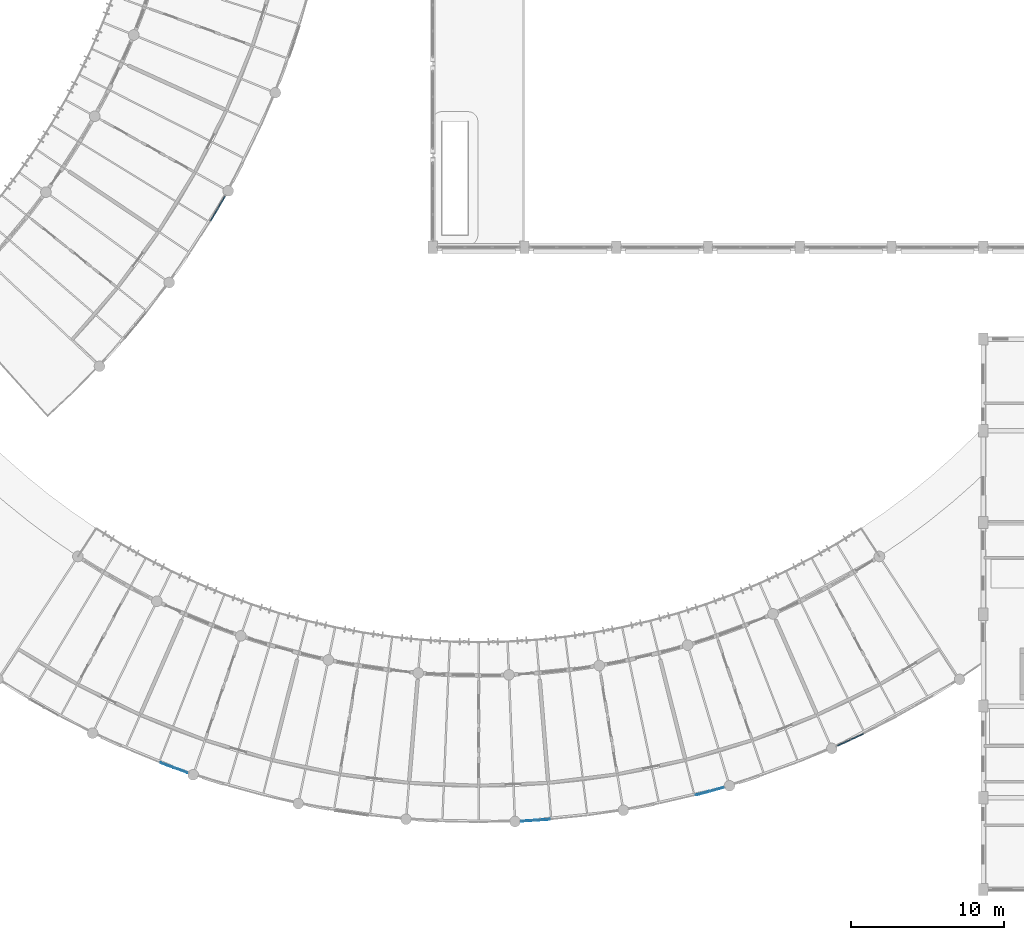
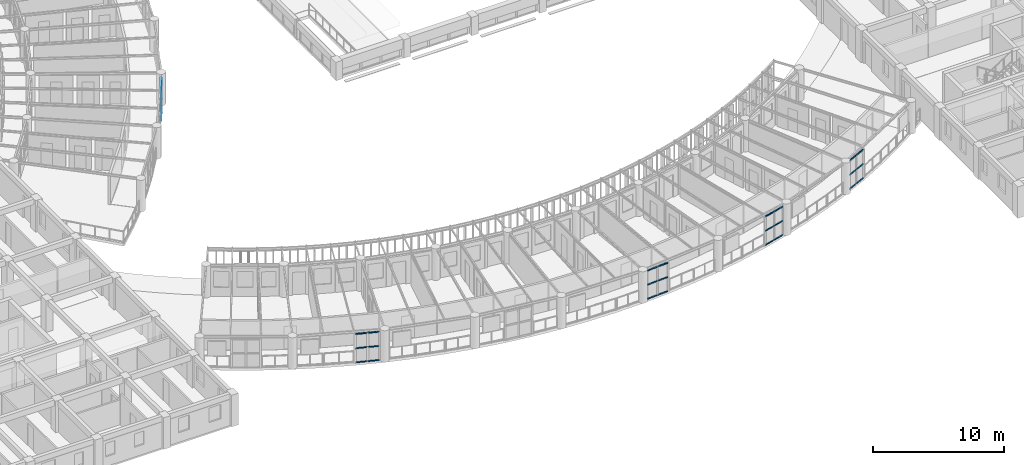
# One storey, part 68 of 137: 30 members, 5 elements without a shape of their own.
"""IFC4 building model written with IfcOpenShell, lengths in metres."""

import ifcopenshell
import ifcopenshell.guid

model = None  # the IFC model being written
_history = None  # IfcOwnerHistory: only IFC2X3 demands one
_inside = {}  # id of a spatial element -> (the spatial element, [elements in it])
_under = {}  # id of a project, library or spatial element -> (it, [spatial elements below it])
_declared = {}  # id of a project -> (the project, [libraries it declares])
_typed = {}  # id of a type object -> (the type object, [elements of that type])
_made_of = {}  # id of a material, layer set ... -> (it, [elements and type objects made of it])


def new_model(schema):
    """Start an empty IFC model of exactly this schema.

    Asked for "IFC4X3", IfcOpenShell would pick the latest addendum, in which some entities
    have other attributes; the version numbers below select the first issue.
    IFC2X3 requires an IfcOwnerHistory on every rooted entity: one is made here for all.
    """
    global model, _history
    if schema == "IFC4X3":
        model = ifcopenshell.file(schema_version=(4, 3, 0, 0))
    else:
        model = ifcopenshell.file(schema=schema)
    _inside.clear()
    _under.clear()
    _declared.clear()
    _typed.clear()
    _made_of.clear()
    _history = None
    if model.schema == "IFC2X3":
        org = make("IfcOrganization", Name="unknown")
        user = make(
            "IfcPersonAndOrganization",
            ThePerson=make("IfcPerson", FamilyName="unknown"),
            TheOrganization=org,
        )
        app = make(
            "IfcApplication",
            ApplicationDeveloper=org,
            Version="unknown",
            ApplicationFullName="unknown",
            ApplicationIdentifier="unknown",
        )
        _history = make(
            "IfcOwnerHistory",
            OwningUser=user,
            OwningApplication=app,
            ChangeAction="ADDED",
            CreationDate=0,
        )
    return model


def make(cls, **values):
    """One entity of the class cls with the attributes given. An attribute that is None is left unset."""
    return model.create_entity(
        cls, **{name: value for name, value in values.items() if value is not None}
    )


def rooted(cls, **values):
    """An entity with a GlobalId (a new one), such as an element, a storey or a relation."""
    return make(cls, GlobalId=ifcopenshell.guid.new(), OwnerHistory=_history, **values)


def si_unit(unit_type, name, prefix=None):
    """IfcSIUnit, for example si_unit("LENGTHUNIT", "METRE", prefix="MILLI")."""
    return make("IfcSIUnit", UnitType=unit_type, Prefix=prefix, Name=name)


def assignment(units):
    """IfcUnitAssignment: the units of a project."""
    return None if units is None else make("IfcUnitAssignment", Units=units)


def point(xyz):
    """IfcCartesianPoint."""
    return None if xyz is None else make("IfcCartesianPoint", Coordinates=xyz)


def direction(xyz):
    """IfcDirection."""
    return None if xyz is None else make("IfcDirection", DirectionRatios=xyz)


def frame(location, z_axis=None, x_axis=None):
    """IfcAxis2Placement3D, a coordinate frame: its origin and axes. An axis left out is left unset."""
    return make(
        "IfcAxis2Placement3D",
        Location=point(location),
        Axis=direction(z_axis),
        RefDirection=direction(x_axis),
    )


def frame_2d(location, x_axis=None):
    """IfcAxis2Placement2D, a coordinate frame in the plane: its origin and x axis."""
    return make(
        "IfcAxis2Placement2D", Location=point(location), RefDirection=direction(x_axis)
    )


def origin():
    """The frame at (0, 0, 0) with its axes left unset."""
    return frame((0.0, 0.0, 0.0))


def origin_2d():
    """The frame at (0, 0) in the plane with its x axis left unset."""
    return frame_2d((0.0, 0.0))


def place(relative_to, where):
    """IfcLocalPlacement: puts the frame where relative to a parent placement (None: the world)."""
    return make(
        "IfcLocalPlacement", PlacementRelTo=relative_to, RelativePlacement=where
    )


def context(
    kind, dimensions, precision=None, world=None, true_north=None, identifier=None
):
    """IfcGeometricRepresentationContext, for example the 3D "Model" context."""
    return make(
        "IfcGeometricRepresentationContext",
        ContextIdentifier=identifier,
        ContextType=kind,
        CoordinateSpaceDimension=dimensions,
        Precision=precision,
        WorldCoordinateSystem=world,
        TrueNorth=true_north,
    )


def subcontext(parent, identifier, kind, view, scale=None):
    """IfcGeometricRepresentationSubContext, for example "Body" below "Model"."""
    return make(
        "IfcGeometricRepresentationSubContext",
        ContextIdentifier=identifier,
        ContextType=kind,
        ParentContext=parent,
        TargetScale=scale,
        TargetView=view,
    )


def project(units=None, contexts=None):
    """IfcProject with its units and contexts."""
    return rooted(
        "IfcProject",
        Name="project",
        RepresentationContexts=contexts,
        UnitsInContext=assignment(units),
    )


def spatial(cls, under=None, at=None, **own):
    """A site, building, storey or space (cls), placed at a placement, below another one or the project."""
    s = rooted(cls, ObjectPlacement=at, **own)
    if under is not None:
        _under.setdefault(under.id(), (under, []))[1].append(s)
    return s


def profile(cls, at=None, kind="AREA", **sizes):
    """A parametric profile (cls). Its sizes go by their IFC names, for example OverallWidth=200.0."""
    return make(cls, ProfileType=kind, Position=at, **sizes)


def rectangle(**sizes):
    """IfcRectangleProfileDef."""
    return profile("IfcRectangleProfileDef", **sizes)


def extrude(swept, where, along, depth):
    """IfcExtrudedAreaSolid: the profile swept, set in the frame where, extruded along a direction by depth."""
    return make(
        "IfcExtrudedAreaSolid",
        SweptArea=swept,
        Position=where,
        ExtrudedDirection=direction(along),
        Depth=depth,
    )


def shape(context_of_items, identifier, shape_type, items):
    """IfcShapeRepresentation: the items that make up one representation, for example the "Body"."""
    return make(
        "IfcShapeRepresentation",
        ContextOfItems=context_of_items,
        RepresentationIdentifier=identifier,
        RepresentationType=shape_type,
        Items=items,
    )


def material(Name=None, Category=None):
    """IfcMaterial."""
    return make("IfcMaterial", Name=Name, Category=Category)


def layer(
    of_material, thickness, ventilated=None, Name=None, Category=None, Priority=None
):
    """IfcMaterialLayer: one layer of a wall or slab, of a material (None: an air gap)."""
    return make(
        "IfcMaterialLayer",
        Material=of_material,
        LayerThickness=thickness,
        IsVentilated=ventilated,
        Name=Name,
        Category=Category,
        Priority=Priority,
    )


def layer_set(layers, Name=None):
    """IfcMaterialLayerSet."""
    return make("IfcMaterialLayerSet", MaterialLayers=layers, LayerSetName=Name)


def material_profile(
    of_material, cross_section, Name=None, Category=None, Priority=None
):
    """IfcMaterialProfile: a cross section and its material."""
    return make(
        "IfcMaterialProfile",
        Name=Name,
        Material=of_material,
        Profile=cross_section,
        Priority=Priority,
        Category=Category,
    )


def profile_set(profiles, Name=None, composite=None):
    """IfcMaterialProfileSet."""
    return make(
        "IfcMaterialProfileSet",
        Name=Name,
        MaterialProfiles=profiles,
        CompositeProfile=composite,
    )


def made_of(thing, what):
    """Note that an element or type object is made of a material, layer set ...; save() writes the relation."""
    if what is not None:
        _made_of.setdefault(what.id(), (what, []))[1].append(thing)
    return thing


def type_object(cls, material=None, **own):
    """A type object (cls), such as IfcWallType, which elements share."""
    return made_of(rooted(cls, **own), material)


def element(
    cls,
    number,
    at=None,
    inside=None,
    cuts=None,
    type_object=None,
    material=None,
    context=None,
    identifier="Body",
    shape_type=None,
    held_by="IfcProductDefinitionShape",
    body=None,
    shapes=None,
    **own,
):
    """One element of the class cls, such as IfcWall. Its Tag is "e" and its number.

    at: its placement. inside: the storey or other place that contains it. cuts: it is an
    opening in that element (IfcRelVoidsElement). A single representation is given by context,
    identifier, shape_type and body (its items); several are given by shapes. held_by: the class
    of the entity that holds the representations. save() writes the other relations.
    """
    e = rooted(cls, Tag="e%d" % number, ObjectPlacement=at, **own)
    if body is not None:
        shapes = [shape(context, identifier, shape_type, body)]
    if shapes is not None:
        e.Representation = make(held_by, Representations=shapes)
    if inside is not None:
        _inside.setdefault(inside.id(), (inside, []))[1].append(e)
    if cuts is not None:
        rooted(
            "IfcRelVoidsElement", RelatingBuildingElement=cuts, RelatedOpeningElement=e
        )
    if type_object is not None:
        _typed.setdefault(type_object.id(), (type_object, []))[1].append(e)
    return made_of(e, material)


def aggregate(whole, parts):
    """IfcRelAggregates: a whole, such as a stair, and the parts it consists of."""
    return rooted("IfcRelAggregates", RelatingObject=whole, RelatedObjects=parts)


def save(model, path):
    """Write the relations noted so far, then the file.

    IfcRelAggregates (storeys below a building ...), IfcRelContainedInSpatialStructure (elements
    in a storey), IfcRelDefinesByType, IfcRelAssociatesMaterial and IfcRelDeclares: one each for
    every whole, place, type object, material and project.
    """
    for whole, parts in _under.values():
        aggregate(whole, parts)
    for where, things in _inside.values():
        rooted(
            "IfcRelContainedInSpatialStructure",
            RelatedElements=things,
            RelatingStructure=where,
        )
    for kind, things in _typed.values():
        rooted("IfcRelDefinesByType", RelatedObjects=things, RelatingType=kind)
    for what, things in _made_of.values():
        rooted("IfcRelAssociatesMaterial", RelatedObjects=things, RelatingMaterial=what)
    for by, libraries in _declared.values():
        rooted("IfcRelDeclares", RelatingContext=by, RelatedDefinitions=libraries)
    model.write(path)


model = new_model("IFC4")

# Units and contexts
model_context = context("Model", 3, precision=1e-05, world=origin(), true_north=direction((0.0, 1.0)))
body_context = subcontext(model_context, "Body", "Model", "MODEL_VIEW")
ifc_project = project(units=[si_unit("LENGTHUNIT", "METRE"), si_unit("AREAUNIT", "SQUARE_METRE"), si_unit("VOLUMEUNIT", "CUBIC_METRE"), si_unit("PLANEANGLEUNIT", "RADIAN"), si_unit("MASSUNIT", "GRAM", prefix="KILO"), si_unit("POWERUNIT", "WATT"), si_unit("THERMODYNAMICTEMPERATUREUNIT", "KELVIN")], contexts=[model_context])

# Site, building, storey
site_placement = place(None, origin())
site = spatial("IfcSite", under=ifc_project, at=site_placement, CompositionType="ELEMENT")
building_placement = place(site_placement, origin())
building = spatial("IfcBuilding", under=site, at=building_placement, Name="Ruvembo Vaulted Housing Court", CompositionType="ELEMENT")
storey_placement = place(building_placement, frame((0.0, 0.0, 4.5)))
storey = spatial("IfcBuildingStorey", under=building, at=storey_placement, Name="L01", CompositionType="ELEMENT", Elevation=4.5)

# Curtain wall, members
ifc_material_1 = material(Name="Anodised Aluminium and Solar-Control Glass", Category="aluminium")
ifc_layer_1 = layer(ifc_material_1, 0.1201171875, Name="Anodised Aluminium and Solar-Control Glass")
ifc_layer_set_1 = layer_set([ifc_layer_1], Name="Anodised Aluminium and Solar-Control Glass")
curtain_wall_type_1 = type_object("IfcCurtainWallType", Name="CW-SCOOP-GAL", PredefinedType="NOTDEFINED", material=ifc_layer_set_1)
curtain_wall_1_placement = place(storey_placement, origin())
curtain_wall_1 = element("IfcCurtainWall", 1, at=curtain_wall_1_placement, inside=storey, type_object=curtain_wall_type_1, Name="L01 Curtain Wall CW-L01-0030", PredefinedType="NOTDEFINED")
ifc_material_2 = material(Name="Anodised Aluminium 6063-T6", Category="aluminium")
ifc_material_profile_1 = material_profile(ifc_material_2, rectangle(XDim=0.06005859375, YDim=0.1201171875, at=origin_2d()), Name="ALU 60x120")
ifc_profile_set_1 = profile_set([ifc_material_profile_1], Name="Anodised Aluminium 6063-T6")
member_type_1 = type_object("IfcMemberType", Name="CW-TRANSOM-65x120", PredefinedType="USERDEFINED", material=ifc_profile_set_1)
member_1_placement = place(storey_placement, frame((48.21044921875, 8.28515625, 0.030029296875), z_axis=(0.939127167855, -0.343569734693, 0.0), x_axis=(0.343569734693, 0.939127167855, 0.0)))
member_1 = element("IfcMember", 2, at=member_1_placement, type_object=member_type_1, Name="CW6 transom 1.1", ObjectType="TRANSOM", PredefinedType="USERDEFINED", context=body_context, shape_type="SweptSolid", body=[
    extrude(rectangle(XDim=0.06005859375, YDim=0.1201171875, at=origin_2d()), origin(), (0.0, 0.0, 1.0), 0.890380859375),
])
member_2_placement = place(storey_placement, frame((48.21044921875, 8.28515625, 1.34912109375), z_axis=(0.939127167855, -0.343569734693, 0.0), x_axis=(0.343569734693, 0.939127167855, 0.0)))
member_2 = element("IfcMember", 3, at=member_2_placement, type_object=member_type_1, Name="CW6 transom 1.2", ObjectType="TRANSOM", PredefinedType="USERDEFINED", context=body_context, shape_type="SweptSolid", body=[
    extrude(rectangle(XDim=0.06005859375, YDim=0.1201171875, at=origin_2d()), origin(), (0.0, 0.0, 1.0), 0.890380859375),
])
member_3_placement = place(storey_placement, frame((48.21044921875, 8.28515625, 2.66796875), z_axis=(0.939127167855, -0.343569734693, 0.0), x_axis=(0.343569734693, 0.939127167855, 0.0)))
member_3 = element("IfcMember", 4, at=member_3_placement, type_object=member_type_1, Name="CW6 transom 1.3", ObjectType="TRANSOM", PredefinedType="USERDEFINED", context=body_context, shape_type="SweptSolid", body=[
    extrude(rectangle(XDim=0.06005859375, YDim=0.1201171875, at=origin_2d()), origin(), (0.0, 0.0, 1.0), 0.890380859375),
])
member_4_placement = place(storey_placement, frame((49.107666015625, 7.956787109375, 0.030029296875), z_axis=(0.939127167855, -0.343569734693, 0.0), x_axis=(0.343569734693, 0.939127167855, 0.0)))
member_4 = element("IfcMember", 5, at=member_4_placement, type_object=member_type_1, Name="CW6 transom 2.1", ObjectType="TRANSOM", PredefinedType="USERDEFINED", context=body_context, shape_type="SweptSolid", body=[
    extrude(rectangle(XDim=0.06005859375, YDim=0.1201171875, at=origin_2d()), origin(), (0.0, 0.0, 1.0), 0.890380859375),
])
member_5_placement = place(storey_placement, frame((49.107666015625, 7.956787109375, 1.34912109375), z_axis=(0.939127167855, -0.343569734693, 0.0), x_axis=(0.343569734693, 0.939127167855, 0.0)))
member_5 = element("IfcMember", 6, at=member_5_placement, type_object=member_type_1, Name="CW6 transom 2.2", ObjectType="TRANSOM", PredefinedType="USERDEFINED", context=body_context, shape_type="SweptSolid", body=[
    extrude(rectangle(XDim=0.06005859375, YDim=0.1201171875, at=origin_2d()), origin(), (0.0, 0.0, 1.0), 0.890380859375),
])
member_6_placement = place(storey_placement, frame((49.107666015625, 7.956787109375, 2.66796875), z_axis=(0.939127167855, -0.343569734693, 0.0), x_axis=(0.343569734693, 0.939127167855, 0.0)))
member_6 = element("IfcMember", 7, at=member_6_placement, type_object=member_type_1, Name="CW6 transom 2.3", ObjectType="TRANSOM", PredefinedType="USERDEFINED", context=body_context, shape_type="SweptSolid", body=[
    extrude(rectangle(XDim=0.06005859375, YDim=0.1201171875, at=origin_2d()), origin(), (0.0, 0.0, 1.0), 0.890380859375),
])
aggregate(curtain_wall_1, [member_1, member_2, member_3, member_4, member_5, member_6])

ifc_layer_2 = layer(ifc_material_1, 0.139892578125, Name="Anodised Aluminium and Solar-Control Glass")
ifc_layer_set_2 = layer_set([ifc_layer_2], Name="Anodised Aluminium and Solar-Control Glass")
curtain_wall_type_2 = type_object("IfcCurtainWallType", Name="CW-SCOOP-PAN", PredefinedType="NOTDEFINED", material=ifc_layer_set_2)
curtain_wall_2_placement = place(storey_placement, origin())
curtain_wall_2 = element("IfcCurtainWall", 8, at=curtain_wall_2_placement, inside=storey, type_object=curtain_wall_type_2, Name="L01 Curtain Wall CW-L01-0033", PredefinedType="NOTDEFINED")
member_7_placement = place(storey_placement, frame((83.218017578125, 6.1845703125, 0.030029296875), z_axis=(0.964234924911, 0.26504907014, 0.0), x_axis=(-0.26504907014, 0.964234924911, 0.0)))
member_7 = element("IfcMember", 9, at=member_7_placement, type_object=member_type_1, Name="CW10 transom 1.1", ObjectType="TRANSOM", PredefinedType="USERDEFINED", context=body_context, shape_type="SweptSolid", body=[
    extrude(rectangle(XDim=0.06005859375, YDim=0.1201171875, at=origin_2d()), origin(), (0.0, 0.0, 1.0), 0.898193359375),
])
member_8_placement = place(storey_placement, frame((83.218017578125, 6.1845703125, 1.34912109375), z_axis=(0.964234924911, 0.26504907014, 0.0), x_axis=(-0.26504907014, 0.964234924911, 0.0)))
member_8 = element("IfcMember", 10, at=member_8_placement, type_object=member_type_1, Name="CW10 transom 1.2", ObjectType="TRANSOM", PredefinedType="USERDEFINED", context=body_context, shape_type="SweptSolid", body=[
    extrude(rectangle(XDim=0.06005859375, YDim=0.1201171875, at=origin_2d()), origin(), (0.0, 0.0, 1.0), 0.898193359375),
])
member_9_placement = place(storey_placement, frame((83.218017578125, 6.1845703125, 2.66796875), z_axis=(0.964234924911, 0.26504907014, 0.0), x_axis=(-0.26504907014, 0.964234924911, 0.0)))
member_9 = element("IfcMember", 11, at=member_9_placement, type_object=member_type_1, Name="CW10 transom 1.3", ObjectType="TRANSOM", PredefinedType="USERDEFINED", context=body_context, shape_type="SweptSolid", body=[
    extrude(rectangle(XDim=0.06005859375, YDim=0.1201171875, at=origin_2d()), origin(), (0.0, 0.0, 1.0), 0.898193359375),
])
member_10_placement = place(storey_placement, frame((84.141845703125, 6.4384765625, 0.030029296875), z_axis=(0.964234924911, 0.26504907014, 0.0), x_axis=(-0.26504907014, 0.964234924911, 0.0)))
member_10 = element("IfcMember", 12, at=member_10_placement, type_object=member_type_1, Name="CW10 transom 2.1", ObjectType="TRANSOM", PredefinedType="USERDEFINED", context=body_context, shape_type="SweptSolid", body=[
    extrude(rectangle(XDim=0.06005859375, YDim=0.1201171875, at=origin_2d()), origin(), (0.0, 0.0, 1.0), 0.898193359375),
])
member_11_placement = place(storey_placement, frame((84.141845703125, 6.4384765625, 1.34912109375), z_axis=(0.964234924911, 0.26504907014, 0.0), x_axis=(-0.26504907014, 0.964234924911, 0.0)))
member_11 = element("IfcMember", 13, at=member_11_placement, type_object=member_type_1, Name="CW10 transom 2.2", ObjectType="TRANSOM", PredefinedType="USERDEFINED", context=body_context, shape_type="SweptSolid", body=[
    extrude(rectangle(XDim=0.06005859375, YDim=0.1201171875, at=origin_2d()), origin(), (0.0, 0.0, 1.0), 0.898193359375),
])
member_12_placement = place(storey_placement, frame((84.141845703125, 6.4384765625, 2.66796875), z_axis=(0.964234924911, 0.26504907014, 0.0), x_axis=(-0.26504907014, 0.964234924911, 0.0)))
member_12 = element("IfcMember", 14, at=member_12_placement, type_object=member_type_1, Name="CW10 transom 2.3", ObjectType="TRANSOM", PredefinedType="USERDEFINED", context=body_context, shape_type="SweptSolid", body=[
    extrude(rectangle(XDim=0.06005859375, YDim=0.1201171875, at=origin_2d()), origin(), (0.0, 0.0, 1.0), 0.898193359375),
])
aggregate(curtain_wall_2, [member_7, member_8, member_9, member_10, member_11, member_12])

curtain_wall_3_placement = place(storey_placement, origin())
curtain_wall_3 = element("IfcCurtainWall", 15, at=curtain_wall_3_placement, inside=storey, type_object=curtain_wall_type_1, Name="L01 Curtain Wall CW-L01-0032", PredefinedType="NOTDEFINED")
ifc_material_profile_2 = material_profile(ifc_material_2, rectangle(XDim=0.06005859375, YDim=0.10009765625, at=origin_2d()), Name="ALU 60x100")
ifc_profile_set_2 = profile_set([ifc_material_profile_2], Name="Anodised Aluminium 6063-T6")
member_type_2 = type_object("IfcMemberType", Name="CW-TRN-60x100", PredefinedType="USERDEFINED", material=ifc_profile_set_2)
member_13_placement = place(storey_placement, frame((71.78466796875, 4.474365234375, 0.030029296875), z_axis=(0.998093619133, 0.061718128996, 0.0), x_axis=(-0.061718128996, 0.998093619133, 0.0)))
member_13 = element("IfcMember", 16, at=member_13_placement, type_object=member_type_2, Name="CW6 transom 1.1", ObjectType="TRANSOM", PredefinedType="USERDEFINED", context=body_context, shape_type="SweptSolid", body=[
    extrude(rectangle(XDim=0.06005859375, YDim=0.10009765625, at=origin_2d()), origin(), (0.0, 0.0, 1.0), 0.89794921875),
])
member_14_placement = place(storey_placement, frame((71.78466796875, 4.474365234375, 1.34912109375), z_axis=(0.998093619133, 0.061718128996, 0.0), x_axis=(-0.061718128996, 0.998093619133, 0.0)))
member_14 = element("IfcMember", 17, at=member_14_placement, type_object=member_type_2, Name="CW6 transom 1.2", ObjectType="TRANSOM", PredefinedType="USERDEFINED", context=body_context, shape_type="SweptSolid", body=[
    extrude(rectangle(XDim=0.06005859375, YDim=0.10009765625, at=origin_2d()), origin(), (0.0, 0.0, 1.0), 0.89794921875),
])
member_15_placement = place(storey_placement, frame((71.78466796875, 4.474365234375, 2.66796875), z_axis=(0.998093619133, 0.061718128996, 0.0), x_axis=(-0.061718128996, 0.998093619133, 0.0)))
member_15 = element("IfcMember", 18, at=member_15_placement, type_object=member_type_2, Name="CW6 transom 1.3", ObjectType="TRANSOM", PredefinedType="USERDEFINED", context=body_context, shape_type="SweptSolid", body=[
    extrude(rectangle(XDim=0.06005859375, YDim=0.10009765625, at=origin_2d()), origin(), (0.0, 0.0, 1.0), 0.89794921875),
])
member_16_placement = place(storey_placement, frame((72.740966796875, 4.533447265625, 0.030029296875), z_axis=(0.998076834358, 0.061988972551, 0.0), x_axis=(-0.061988972551, 0.998076834358, 0.0)))
member_16 = element("IfcMember", 19, at=member_16_placement, type_object=member_type_2, Name="CW6 transom 2.1", ObjectType="TRANSOM", PredefinedType="USERDEFINED", context=body_context, shape_type="SweptSolid", body=[
    extrude(rectangle(XDim=0.06005859375, YDim=0.10009765625, at=origin_2d()), origin(), (0.0, 0.0, 1.0), 0.89794921875),
])
member_17_placement = place(storey_placement, frame((72.740966796875, 4.533447265625, 1.34912109375), z_axis=(0.998076834358, 0.061988972551, 0.0), x_axis=(-0.061988972551, 0.998076834358, 0.0)))
member_17 = element("IfcMember", 20, at=member_17_placement, type_object=member_type_2, Name="CW6 transom 2.2", ObjectType="TRANSOM", PredefinedType="USERDEFINED", context=body_context, shape_type="SweptSolid", body=[
    extrude(rectangle(XDim=0.06005859375, YDim=0.10009765625, at=origin_2d()), origin(), (0.0, 0.0, 1.0), 0.89794921875),
])
member_18_placement = place(storey_placement, frame((72.740966796875, 4.533447265625, 2.66796875), z_axis=(0.998076834358, 0.061988972551, 0.0), x_axis=(-0.061988972551, 0.998076834358, 0.0)))
member_18 = element("IfcMember", 21, at=member_18_placement, type_object=member_type_2, Name="CW6 transom 2.3", ObjectType="TRANSOM", PredefinedType="USERDEFINED", context=body_context, shape_type="SweptSolid", body=[
    extrude(rectangle(XDim=0.06005859375, YDim=0.10009765625, at=origin_2d()), origin(), (0.0, 0.0, 1.0), 0.89794921875),
])
aggregate(curtain_wall_3, [member_13, member_14, member_15, member_16, member_17, member_18])

curtain_wall_4_placement = place(storey_placement, origin())
curtain_wall_4 = element("IfcCurtainWall", 22, at=curtain_wall_4_placement, inside=storey, type_object=curtain_wall_type_1, Name="L01 Curtain Wall CW-L01-0010", PredefinedType="NOTDEFINED")
ifc_material_profile_3 = material_profile(ifc_material_2, rectangle(XDim=0.06494140625, YDim=0.135009765625, at=origin_2d()), Name="ALU 65x135")
ifc_profile_set_3 = profile_set([ifc_material_profile_3], Name="Anodised Aluminium 6063-T6")
member_type_3 = type_object("IfcMemberType", Name="CW-TRN-65x135", PredefinedType="USERDEFINED", material=ifc_profile_set_3)
member_19_placement = place(storey_placement, frame((51.476806640625, 43.738037109375, 0.032470703125), z_axis=(0.505965672831, 0.862553614517, 0.0), x_axis=(-0.862553614517, 0.505965672831, 0.0)))
member_19 = element("IfcMember", 23, at=member_19_placement, type_object=member_type_3, Name="CW6 transom 1.1", ObjectType="TRANSOM", PredefinedType="USERDEFINED", context=body_context, shape_type="SweptSolid", body=[
    extrude(rectangle(XDim=0.06494140625, YDim=0.135009765625, at=origin_2d()), origin(), (0.0, 0.0, 1.0), 0.890625),
])
member_20_placement = place(storey_placement, frame((51.476806640625, 43.738037109375, 1.34912109375), z_axis=(0.505965672831, 0.862553614517, 0.0), x_axis=(-0.862553614517, 0.505965672831, 0.0)))
member_20 = element("IfcMember", 24, at=member_20_placement, type_object=member_type_3, Name="CW6 transom 1.2", ObjectType="TRANSOM", PredefinedType="USERDEFINED", context=body_context, shape_type="SweptSolid", body=[
    extrude(rectangle(XDim=0.06494140625, YDim=0.135009765625, at=origin_2d()), origin(), (0.0, 0.0, 1.0), 0.890625),
])
member_21_placement = place(storey_placement, frame((51.476806640625, 43.738037109375, 2.66552734375), z_axis=(0.505965672831, 0.862553614517, 0.0), x_axis=(-0.862553614517, 0.505965672831, 0.0)))
member_21 = element("IfcMember", 25, at=member_21_placement, type_object=member_type_3, Name="CW6 transom 1.3", ObjectType="TRANSOM", PredefinedType="USERDEFINED", context=body_context, shape_type="SweptSolid", body=[
    extrude(rectangle(XDim=0.06494140625, YDim=0.135009765625, at=origin_2d()), origin(), (0.0, 0.0, 1.0), 0.890625),
])
member_22_placement = place(storey_placement, frame((51.960205078125, 44.5625, 0.032470703125), z_axis=(0.505965672831, 0.862553614517, 0.0), x_axis=(-0.862553614517, 0.505965672831, 0.0)))
member_22 = element("IfcMember", 26, at=member_22_placement, type_object=member_type_3, Name="CW6 transom 2.1", ObjectType="TRANSOM", PredefinedType="USERDEFINED", context=body_context, shape_type="SweptSolid", body=[
    extrude(rectangle(XDim=0.06494140625, YDim=0.135009765625, at=origin_2d()), origin(), (0.0, 0.0, 1.0), 0.890625),
])
member_23_placement = place(storey_placement, frame((51.960205078125, 44.5625, 1.34912109375), z_axis=(0.505965672831, 0.862553614517, 0.0), x_axis=(-0.862553614517, 0.505965672831, 0.0)))
member_23 = element("IfcMember", 27, at=member_23_placement, type_object=member_type_3, Name="CW6 transom 2.2", ObjectType="TRANSOM", PredefinedType="USERDEFINED", context=body_context, shape_type="SweptSolid", body=[
    extrude(rectangle(XDim=0.06494140625, YDim=0.135009765625, at=origin_2d()), origin(), (0.0, 0.0, 1.0), 0.890625),
])
member_24_placement = place(storey_placement, frame((51.960205078125, 44.5625, 2.66552734375), z_axis=(0.505965672831, 0.862553614517, 0.0), x_axis=(-0.862553614517, 0.505965672831, 0.0)))
member_24 = element("IfcMember", 28, at=member_24_placement, type_object=member_type_3, Name="CW6 transom 2.3", ObjectType="TRANSOM", PredefinedType="USERDEFINED", context=body_context, shape_type="SweptSolid", body=[
    extrude(rectangle(XDim=0.06494140625, YDim=0.135009765625, at=origin_2d()), origin(), (0.0, 0.0, 1.0), 0.890625),
])
aggregate(curtain_wall_4, [member_19, member_20, member_21, member_22, member_23, member_24])

curtain_wall_5_placement = place(storey_placement, origin())
curtain_wall_5 = element("IfcCurtainWall", 29, at=curtain_wall_5_placement, inside=storey, type_object=curtain_wall_type_2, Name="L01 Curtain Wall CW-L01-0034", PredefinedType="NOTDEFINED")
member_25_placement = place(storey_placement, frame((92.47021484375, 9.406494140625, 0.032470703125), z_axis=(0.907662288095, 0.419701287549, 0.0), x_axis=(-0.419701287549, 0.907662288095, 0.0)))
member_25 = element("IfcMember", 30, at=member_25_placement, type_object=member_type_3, Name="CW10 transom 1.1", ObjectType="TRANSOM", PredefinedType="USERDEFINED", context=body_context, shape_type="SweptSolid", body=[
    extrude(rectangle(XDim=0.06494140625, YDim=0.135009765625, at=origin_2d()), origin(), (0.0, 0.0, 1.0), 0.890625),
])
member_26_placement = place(storey_placement, frame((92.47021484375, 9.406494140625, 1.34912109375), z_axis=(0.907662288095, 0.419701287549, 0.0), x_axis=(-0.419701287549, 0.907662288095, 0.0)))
member_26 = element("IfcMember", 31, at=member_26_placement, type_object=member_type_3, Name="CW10 transom 1.2", ObjectType="TRANSOM", PredefinedType="USERDEFINED", context=body_context, shape_type="SweptSolid", body=[
    extrude(rectangle(XDim=0.06494140625, YDim=0.135009765625, at=origin_2d()), origin(), (0.0, 0.0, 1.0), 0.890625),
])
member_27_placement = place(storey_placement, frame((92.47021484375, 9.406494140625, 2.66552734375), z_axis=(0.907662288095, 0.419701287549, 0.0), x_axis=(-0.419701287549, 0.907662288095, 0.0)))
member_27 = element("IfcMember", 32, at=member_27_placement, type_object=member_type_3, Name="CW10 transom 1.3", ObjectType="TRANSOM", PredefinedType="USERDEFINED", context=body_context, shape_type="SweptSolid", body=[
    extrude(rectangle(XDim=0.06494140625, YDim=0.135009765625, at=origin_2d()), origin(), (0.0, 0.0, 1.0), 0.890625),
])
member_28_placement = place(storey_placement, frame((93.337646484375, 9.807373046875, 0.032470703125), z_axis=(0.907613981344, 0.419805741824, 0.0), x_axis=(-0.419805741824, 0.907613981344, 0.0)))
member_28 = element("IfcMember", 33, at=member_28_placement, type_object=member_type_3, Name="CW10 transom 2.1", ObjectType="TRANSOM", PredefinedType="USERDEFINED", context=body_context, shape_type="SweptSolid", body=[
    extrude(rectangle(XDim=0.06494140625, YDim=0.135009765625, at=origin_2d()), origin(), (0.0, 0.0, 1.0), 0.890380859375),
])
member_29_placement = place(storey_placement, frame((93.337646484375, 9.807373046875, 1.34912109375), z_axis=(0.907613981344, 0.419805741824, 0.0), x_axis=(-0.419805741824, 0.907613981344, 0.0)))
member_29 = element("IfcMember", 34, at=member_29_placement, type_object=member_type_3, Name="CW10 transom 2.2", ObjectType="TRANSOM", PredefinedType="USERDEFINED", context=body_context, shape_type="SweptSolid", body=[
    extrude(rectangle(XDim=0.06494140625, YDim=0.135009765625, at=origin_2d()), origin(), (0.0, 0.0, 1.0), 0.890380859375),
])
member_30_placement = place(storey_placement, frame((93.337646484375, 9.807373046875, 2.66552734375), z_axis=(0.907613981344, 0.419805741824, 0.0), x_axis=(-0.419805741824, 0.907613981344, 0.0)))
member_30 = element("IfcMember", 35, at=member_30_placement, type_object=member_type_3, Name="CW10 transom 2.3", ObjectType="TRANSOM", PredefinedType="USERDEFINED", context=body_context, shape_type="SweptSolid", body=[
    extrude(rectangle(XDim=0.06494140625, YDim=0.135009765625, at=origin_2d()), origin(), (0.0, 0.0, 1.0), 0.890380859375),
])
aggregate(curtain_wall_5, [member_25, member_26, member_27, member_28, member_29, member_30])

save(model, "model.ifc")
